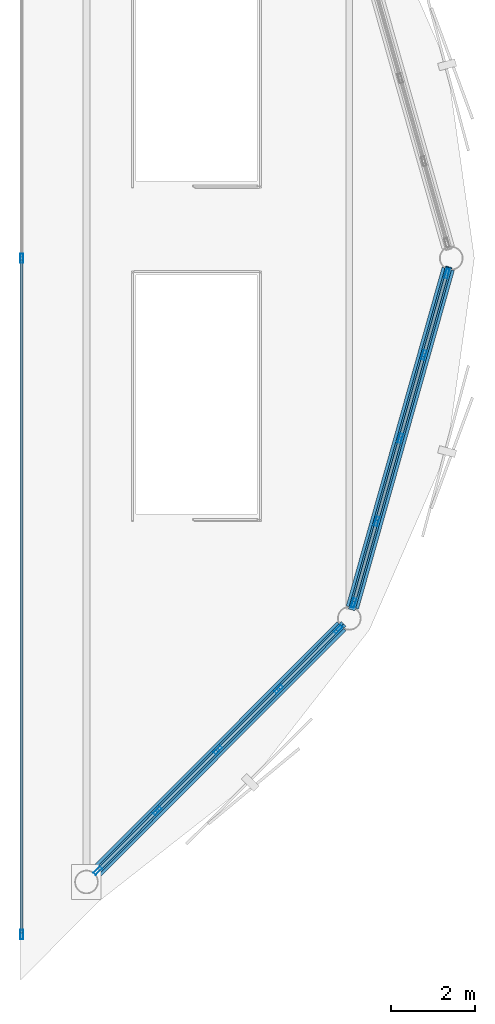
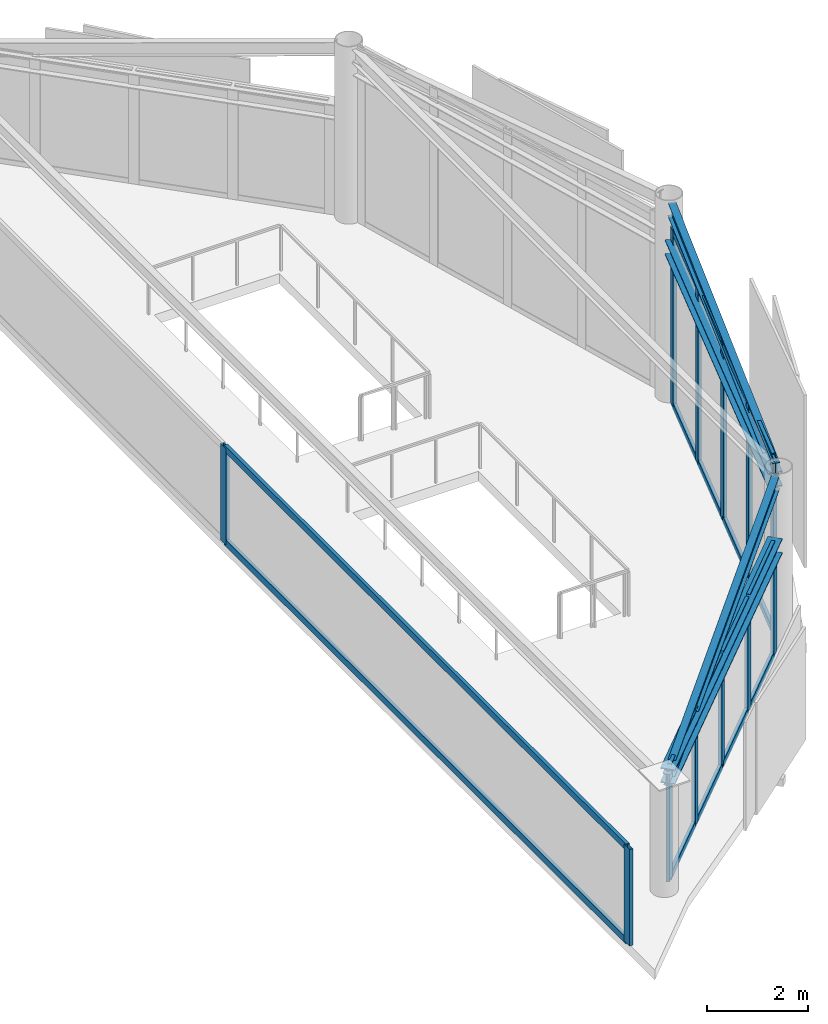
# One storey, part 2 of 6: 32 members, 2 beams, 3 elements without a shape of their own.
"""IFC4 building model written with IfcOpenShell, lengths in metres."""

import ifcopenshell
import ifcopenshell.guid

model = None  # the IFC model being written
_history = None  # IfcOwnerHistory: only IFC2X3 demands one
_inside = {}  # id of a spatial element -> (the spatial element, [elements in it])
_under = {}  # id of a project, library or spatial element -> (it, [spatial elements below it])
_declared = {}  # id of a project -> (the project, [libraries it declares])
_typed = {}  # id of a type object -> (the type object, [elements of that type])
_made_of = {}  # id of a material, layer set ... -> (it, [elements and type objects made of it])


def new_model(schema):
    """Start an empty IFC model of exactly this schema.

    Asked for "IFC4X3", IfcOpenShell would pick the latest addendum, in which some entities
    have other attributes; the version numbers below select the first issue.
    IFC2X3 requires an IfcOwnerHistory on every rooted entity: one is made here for all.
    """
    global model, _history
    if schema == "IFC4X3":
        model = ifcopenshell.file(schema_version=(4, 3, 0, 0))
    else:
        model = ifcopenshell.file(schema=schema)
    _inside.clear()
    _under.clear()
    _declared.clear()
    _typed.clear()
    _made_of.clear()
    _history = None
    if model.schema == "IFC2X3":
        org = make("IfcOrganization", Name="unknown")
        user = make(
            "IfcPersonAndOrganization",
            ThePerson=make("IfcPerson", FamilyName="unknown"),
            TheOrganization=org,
        )
        app = make(
            "IfcApplication",
            ApplicationDeveloper=org,
            Version="unknown",
            ApplicationFullName="unknown",
            ApplicationIdentifier="unknown",
        )
        _history = make(
            "IfcOwnerHistory",
            OwningUser=user,
            OwningApplication=app,
            ChangeAction="ADDED",
            CreationDate=0,
        )
    return model


def make(cls, **values):
    """One entity of the class cls with the attributes given. An attribute that is None is left unset."""
    return model.create_entity(
        cls, **{name: value for name, value in values.items() if value is not None}
    )


def rooted(cls, **values):
    """An entity with a GlobalId (a new one), such as an element, a storey or a relation."""
    return make(cls, GlobalId=ifcopenshell.guid.new(), OwnerHistory=_history, **values)


def si_unit(unit_type, name, prefix=None):
    """IfcSIUnit, for example si_unit("LENGTHUNIT", "METRE", prefix="MILLI")."""
    return make("IfcSIUnit", UnitType=unit_type, Prefix=prefix, Name=name)


def assignment(units):
    """IfcUnitAssignment: the units of a project."""
    return None if units is None else make("IfcUnitAssignment", Units=units)


def point(xyz):
    """IfcCartesianPoint."""
    return None if xyz is None else make("IfcCartesianPoint", Coordinates=xyz)


def direction(xyz):
    """IfcDirection."""
    return None if xyz is None else make("IfcDirection", DirectionRatios=xyz)


def frame(location, z_axis=None, x_axis=None):
    """IfcAxis2Placement3D, a coordinate frame: its origin and axes. An axis left out is left unset."""
    return make(
        "IfcAxis2Placement3D",
        Location=point(location),
        Axis=direction(z_axis),
        RefDirection=direction(x_axis),
    )


def frame_2d(location, x_axis=None):
    """IfcAxis2Placement2D, a coordinate frame in the plane: its origin and x axis."""
    return make(
        "IfcAxis2Placement2D", Location=point(location), RefDirection=direction(x_axis)
    )


def origin():
    """The frame at (0, 0, 0) with its axes left unset."""
    return frame((0.0, 0.0, 0.0))


def origin_2d():
    """The frame at (0, 0) in the plane with its x axis left unset."""
    return frame_2d((0.0, 0.0))


def place(relative_to, where):
    """IfcLocalPlacement: puts the frame where relative to a parent placement (None: the world)."""
    return make(
        "IfcLocalPlacement", PlacementRelTo=relative_to, RelativePlacement=where
    )


def context(
    kind, dimensions, precision=None, world=None, true_north=None, identifier=None
):
    """IfcGeometricRepresentationContext, for example the 3D "Model" context."""
    return make(
        "IfcGeometricRepresentationContext",
        ContextIdentifier=identifier,
        ContextType=kind,
        CoordinateSpaceDimension=dimensions,
        Precision=precision,
        WorldCoordinateSystem=world,
        TrueNorth=true_north,
    )


def subcontext(parent, identifier, kind, view, scale=None):
    """IfcGeometricRepresentationSubContext, for example "Body" below "Model"."""
    return make(
        "IfcGeometricRepresentationSubContext",
        ContextIdentifier=identifier,
        ContextType=kind,
        ParentContext=parent,
        TargetScale=scale,
        TargetView=view,
    )


def project(units=None, contexts=None):
    """IfcProject with its units and contexts."""
    return rooted(
        "IfcProject",
        Name="project",
        RepresentationContexts=contexts,
        UnitsInContext=assignment(units),
    )


def spatial(cls, under=None, at=None, **own):
    """A site, building, storey or space (cls), placed at a placement, below another one or the project."""
    s = rooted(cls, ObjectPlacement=at, **own)
    if under is not None:
        _under.setdefault(under.id(), (under, []))[1].append(s)
    return s


def profile(cls, at=None, kind="AREA", **sizes):
    """A parametric profile (cls). Its sizes go by their IFC names, for example OverallWidth=200.0."""
    return make(cls, ProfileType=kind, Position=at, **sizes)


def hollow_rectangle(**sizes):
    """IfcRectangleHollowProfileDef."""
    return profile("IfcRectangleHollowProfileDef", **sizes)


def i_section(**sizes):
    """IfcIShapeProfileDef."""
    return profile("IfcIShapeProfileDef", **sizes)


def extrude(swept, where, along, depth):
    """IfcExtrudedAreaSolid: the profile swept, set in the frame where, extruded along a direction by depth."""
    return make(
        "IfcExtrudedAreaSolid",
        SweptArea=swept,
        Position=where,
        ExtrudedDirection=direction(along),
        Depth=depth,
    )


def shape(context_of_items, identifier, shape_type, items):
    """IfcShapeRepresentation: the items that make up one representation, for example the "Body"."""
    return make(
        "IfcShapeRepresentation",
        ContextOfItems=context_of_items,
        RepresentationIdentifier=identifier,
        RepresentationType=shape_type,
        Items=items,
    )


def material(Name=None, Category=None):
    """IfcMaterial."""
    return make("IfcMaterial", Name=Name, Category=Category)


def layer(
    of_material, thickness, ventilated=None, Name=None, Category=None, Priority=None
):
    """IfcMaterialLayer: one layer of a wall or slab, of a material (None: an air gap)."""
    return make(
        "IfcMaterialLayer",
        Material=of_material,
        LayerThickness=thickness,
        IsVentilated=ventilated,
        Name=Name,
        Category=Category,
        Priority=Priority,
    )


def layer_set(layers, Name=None):
    """IfcMaterialLayerSet."""
    return make("IfcMaterialLayerSet", MaterialLayers=layers, LayerSetName=Name)


def material_profile(
    of_material, cross_section, Name=None, Category=None, Priority=None
):
    """IfcMaterialProfile: a cross section and its material."""
    return make(
        "IfcMaterialProfile",
        Name=Name,
        Material=of_material,
        Profile=cross_section,
        Priority=Priority,
        Category=Category,
    )


def profile_set(profiles, Name=None, composite=None):
    """IfcMaterialProfileSet."""
    return make(
        "IfcMaterialProfileSet",
        Name=Name,
        MaterialProfiles=profiles,
        CompositeProfile=composite,
    )


def made_of(thing, what):
    """Note that an element or type object is made of a material, layer set ...; save() writes the relation."""
    if what is not None:
        _made_of.setdefault(what.id(), (what, []))[1].append(thing)
    return thing


def type_object(cls, material=None, **own):
    """A type object (cls), such as IfcWallType, which elements share."""
    return made_of(rooted(cls, **own), material)


def element(
    cls,
    number,
    at=None,
    inside=None,
    cuts=None,
    type_object=None,
    material=None,
    context=None,
    identifier="Body",
    shape_type=None,
    held_by="IfcProductDefinitionShape",
    body=None,
    shapes=None,
    **own,
):
    """One element of the class cls, such as IfcWall. Its Tag is "e" and its number.

    at: its placement. inside: the storey or other place that contains it. cuts: it is an
    opening in that element (IfcRelVoidsElement). A single representation is given by context,
    identifier, shape_type and body (its items); several are given by shapes. held_by: the class
    of the entity that holds the representations. save() writes the other relations.
    """
    e = rooted(cls, Tag="e%d" % number, ObjectPlacement=at, **own)
    if body is not None:
        shapes = [shape(context, identifier, shape_type, body)]
    if shapes is not None:
        e.Representation = make(held_by, Representations=shapes)
    if inside is not None:
        _inside.setdefault(inside.id(), (inside, []))[1].append(e)
    if cuts is not None:
        rooted(
            "IfcRelVoidsElement", RelatingBuildingElement=cuts, RelatedOpeningElement=e
        )
    if type_object is not None:
        _typed.setdefault(type_object.id(), (type_object, []))[1].append(e)
    return made_of(e, material)


def aggregate(whole, parts):
    """IfcRelAggregates: a whole, such as a stair, and the parts it consists of."""
    return rooted("IfcRelAggregates", RelatingObject=whole, RelatedObjects=parts)


def save(model, path):
    """Write the relations noted so far, then the file.

    IfcRelAggregates (storeys below a building ...), IfcRelContainedInSpatialStructure (elements
    in a storey), IfcRelDefinesByType, IfcRelAssociatesMaterial and IfcRelDeclares: one each for
    every whole, place, type object, material and project.
    """
    for whole, parts in _under.values():
        aggregate(whole, parts)
    for where, things in _inside.values():
        rooted(
            "IfcRelContainedInSpatialStructure",
            RelatedElements=things,
            RelatingStructure=where,
        )
    for kind, things in _typed.values():
        rooted("IfcRelDefinesByType", RelatedObjects=things, RelatingType=kind)
    for what, things in _made_of.values():
        rooted("IfcRelAssociatesMaterial", RelatedObjects=things, RelatingMaterial=what)
    for by, libraries in _declared.values():
        rooted("IfcRelDeclares", RelatingContext=by, RelatedDefinitions=libraries)
    model.write(path)


model = new_model("IFC4")

# Units and contexts
model_context = context("Model", 3, precision=1e-05, world=origin(), true_north=direction((0.0, 1.0)))
body_context = subcontext(model_context, "Body", "Model", "MODEL_VIEW")
ifc_project = project(units=[si_unit("LENGTHUNIT", "METRE"), si_unit("AREAUNIT", "SQUARE_METRE"), si_unit("VOLUMEUNIT", "CUBIC_METRE"), si_unit("PLANEANGLEUNIT", "RADIAN"), si_unit("MASSUNIT", "GRAM", prefix="KILO")], contexts=[model_context])

# Site, building, storey
site_placement = place(None, origin())
site = spatial("IfcSite", under=ifc_project, at=site_placement, CompositionType="ELEMENT")
building_placement = place(site_placement, origin())
building = spatial("IfcBuilding", under=site, at=building_placement, Name="Varnakorn Sky Granary", CompositionType="ELEMENT")
storey_placement = place(building_placement, frame((0.0, 0.0, 319.199951171875)))
storey = spatial("IfcBuildingStorey", under=building, at=storey_placement, Name="L81", CompositionType="ELEMENT", Elevation=319.199951171875)

# Beams
ifc_material_1 = material(Name="Steel S355JR", Category="steel")
ifc_material_profile_1 = material_profile(ifc_material_1, i_section(OverallWidth=0.300048828125, OverallDepth=0.360107421875, WebThickness=0.012451171875, FlangeThickness=0.0224609375, at=origin_2d()), Name="HE 360 B")
ifc_profile_set_1 = profile_set([ifc_material_profile_1], Name="Steel S355JR")
beam_type = type_object("IfcBeamType", Name="BM-SPD-Z5", PredefinedType="SPANDREL", material=ifc_profile_set_1)
beam_1_placement = place(storey_placement, frame((13.544189453125, -14.59130859375, 2.563232421875), z_axis=(0.706075478013, 0.708136582411, 0.0), x_axis=(-0.708136582411, 0.706075478013, 0.0)))
element("IfcBeam", 1, at=beam_1_placement, inside=storey, type_object=beam_type, Name="Perimeter Spandrel Ring Beam RB11 L81", PredefinedType="SPANDREL", context=body_context, shape_type="SweptSolid", body=[
    extrude(i_section(OverallWidth=0.300048828125, OverallDepth=0.360107421875, WebThickness=0.012451171875, FlangeThickness=0.0224609375, at=origin_2d()), origin(), (0.0, 0.0, 1.0), 8.29150390625),
])
beam_2_placement = place(storey_placement, frame((19.657470703125, -8.278076171875, 3.780029296875), z_axis=(0.272284107146, 0.962216901221, 0.0), x_axis=(-0.962216901221, 0.272284107146, 0.0)))
element("IfcBeam", 2, at=beam_2_placement, inside=storey, type_object=beam_type, Name="Perimeter Spandrel Ring Beam RB12 L81", PredefinedType="SPANDREL", context=body_context, shape_type="SweptSolid", body=[
    extrude(i_section(OverallWidth=0.300048828125, OverallDepth=0.360107421875, WebThickness=0.012451171875, FlangeThickness=0.0224609375, at=origin_2d()), origin(), (0.0, 0.0, 1.0), 8.3388671875),
])

# Curtain wall, members
ifc_material_2 = material(Name="Anodised Bronze Aluminium Alloy 6063-T6", Category="aluminium")
ifc_layer = layer(ifc_material_2, 0.22998046875, Name="Anodised Bronze Aluminium Alloy 6063-T6")
ifc_layer_set = layer_set([ifc_layer], Name="Anodised Bronze Aluminium Alloy 6063-T6")
curtain_wall_type = type_object("IfcCurtainWallType", Name="CW-LNT-1", PredefinedType="USERDEFINED", material=ifc_layer_set)
curtain_wall_1_placement = place(storey_placement, origin())
curtain_wall_1 = element("IfcCurtainWall", 3, at=curtain_wall_1_placement, inside=storey, type_object=curtain_wall_type, Name="Unitised Curtain Wall CW7 CW-L81-B11", ObjectType="CURTAIN WALL", PredefinedType="USERDEFINED")
ifc_material_profile_2 = material_profile(ifc_material_2, hollow_rectangle(XDim=0.074951171875, YDim=0.219970703125, WallThickness=0.00390625, at=origin_2d()), Name="ALU MULL 75x220")
ifc_profile_set_2 = profile_set([ifc_material_profile_2], Name="Anodised Bronze Aluminium Alloy 6063-T6")
member_type_1 = type_object("IfcMemberType", Name="CW-LNT-1-MULL", PredefinedType="MULLION", material=ifc_profile_set_2)
member_1_placement = place(storey_placement, frame((19.3193359375, -8.799560546875, 0.0), z_axis=(0.0, 0.0, 1.0), x_axis=(0.708143903413, -0.706068135564, 0.0)))
member_1 = element("IfcMember", 4, at=member_1_placement, type_object=member_type_1, Name="CW7 mullion 1", PredefinedType="MULLION", context=body_context, shape_type="SweptSolid", body=[
    extrude(hollow_rectangle(XDim=0.074951171875, YDim=0.219970703125, WallThickness=0.00390625, at=origin_2d()), origin(), (0.0, 0.0, 1.0), 2.72802734375),
])
member_2_placement = place(storey_placement, frame((17.90869140625, -10.21435546875, 0.0), z_axis=(0.0, 0.0, 1.0), x_axis=(0.708143903413, -0.706068135564, 0.0)))
member_2 = element("IfcMember", 5, at=member_2_placement, type_object=member_type_1, Name="CW7 mullion 2", PredefinedType="MULLION", context=body_context, shape_type="SweptSolid", body=[
    extrude(hollow_rectangle(XDim=0.074951171875, YDim=0.219970703125, WallThickness=0.00390625, at=origin_2d()), origin(), (0.0, 0.0, 1.0), 2.72802734375),
])
member_3_placement = place(storey_placement, frame((16.471435546875, -11.655517578125, 0.0), z_axis=(0.0, 0.0, 1.0), x_axis=(0.708143903413, -0.706068135564, 0.0)))
member_3 = element("IfcMember", 6, at=member_3_placement, type_object=member_type_1, Name="CW7 mullion 3", PredefinedType="MULLION", context=body_context, shape_type="SweptSolid", body=[
    extrude(hollow_rectangle(XDim=0.074951171875, YDim=0.219970703125, WallThickness=0.00390625, at=origin_2d()), origin(), (0.0, 0.0, 1.0), 2.72802734375),
])
member_4_placement = place(storey_placement, frame((15.034423828125, -13.096923828125, 0.0), z_axis=(0.0, 0.0, 1.0), x_axis=(0.708143903413, -0.706068135564, 0.0)))
member_4 = element("IfcMember", 7, at=member_4_placement, type_object=member_type_1, Name="CW7 mullion 4", PredefinedType="MULLION", context=body_context, shape_type="SweptSolid", body=[
    extrude(hollow_rectangle(XDim=0.074951171875, YDim=0.219970703125, WallThickness=0.00390625, at=origin_2d()), origin(), (0.0, 0.0, 1.0), 2.72802734375),
])
member_5_placement = place(storey_placement, frame((13.623779296875, -14.51171875, 0.0), z_axis=(0.0, 0.0, 1.0), x_axis=(0.708143903413, -0.706068135564, 0.0)))
member_5 = element("IfcMember", 8, at=member_5_placement, type_object=member_type_1, Name="CW7 mullion 5", PredefinedType="MULLION", context=body_context, shape_type="SweptSolid", body=[
    extrude(hollow_rectangle(XDim=0.074951171875, YDim=0.219970703125, WallThickness=0.00390625, at=origin_2d()), origin(), (0.0, 0.0, 1.0), 2.72802734375),
])

curtain_wall_2_placement = place(storey_placement, origin())
curtain_wall_2 = element("IfcCurtainWall", 9, at=curtain_wall_2_placement, inside=storey, type_object=curtain_wall_type, Name="Unitised Curtain Wall CW7 CW-L81-B12", ObjectType="CURTAIN WALL", PredefinedType="USERDEFINED")
member_6_placement = place(storey_placement, frame((21.8974609375, -0.36279296875, 0.0), z_axis=(0.0, 0.0, 1.0), x_axis=(0.962210332447, -0.272307319276, 0.0)))
member_6 = element("IfcMember", 10, at=member_6_placement, type_object=member_type_1, Name="CW7 mullion 1", PredefinedType="MULLION", context=body_context, shape_type="SweptSolid", body=[
    extrude(hollow_rectangle(XDim=0.074951171875, YDim=0.219970703125, WallThickness=0.00390625, at=origin_2d()), origin(), (0.0, 0.0, 1.0), 4.28076171875),
])
member_7_placement = place(storey_placement, frame((21.35009765625, -2.29638671875, 0.0), z_axis=(0.0, 0.0, 1.0), x_axis=(0.962210332447, -0.272307319276, 0.0)))
member_7 = element("IfcMember", 11, at=member_7_placement, type_object=member_type_1, Name="CW7 mullion 2", PredefinedType="MULLION", context=body_context, shape_type="SweptSolid", body=[
    extrude(hollow_rectangle(XDim=0.074951171875, YDim=0.219970703125, WallThickness=0.00390625, at=origin_2d()), origin(), (0.0, 0.0, 1.0), 4.28076171875),
])
member_8_placement = place(storey_placement, frame((20.792724609375, -4.266357421875, 0.0), z_axis=(0.0, 0.0, 1.0), x_axis=(0.962210332447, -0.272307319276, 0.0)))
member_8 = element("IfcMember", 12, at=member_8_placement, type_object=member_type_1, Name="CW7 mullion 3", PredefinedType="MULLION", context=body_context, shape_type="SweptSolid", body=[
    extrude(hollow_rectangle(XDim=0.074951171875, YDim=0.219970703125, WallThickness=0.00390625, at=origin_2d()), origin(), (0.0, 0.0, 1.0), 4.28076171875),
])
member_9_placement = place(storey_placement, frame((20.2353515625, -6.236083984375, 0.0), z_axis=(0.0, 0.0, 1.0), x_axis=(0.962210332447, -0.272307319276, 0.0)))
member_9 = element("IfcMember", 13, at=member_9_placement, type_object=member_type_1, Name="CW7 mullion 4", PredefinedType="MULLION", context=body_context, shape_type="SweptSolid", body=[
    extrude(hollow_rectangle(XDim=0.074951171875, YDim=0.219970703125, WallThickness=0.00390625, at=origin_2d()), origin(), (0.0, 0.0, 1.0), 4.28076171875),
])
member_10_placement = place(storey_placement, frame((19.68798828125, -8.169677734375, 0.0), z_axis=(0.0, 0.0, 1.0), x_axis=(0.962210332447, -0.272307319276, 0.0)))
member_10 = element("IfcMember", 14, at=member_10_placement, type_object=member_type_1, Name="CW7 mullion 5", PredefinedType="MULLION", context=body_context, shape_type="SweptSolid", body=[
    extrude(hollow_rectangle(XDim=0.074951171875, YDim=0.219970703125, WallThickness=0.00390625, at=origin_2d()), origin(), (0.0, 0.0, 1.0), 4.28076171875),
])

curtain_wall_3_placement = place(storey_placement, origin())
curtain_wall_3 = element("IfcCurtainWall", 15, at=curtain_wall_3_placement, inside=storey, type_object=curtain_wall_type, Name="Unitised Curtain Wall CW7 CW-L81-SLANT", ObjectType="CURTAIN WALL", PredefinedType="USERDEFINED")
member_11_placement = place(storey_placement, frame((11.820068359375, -16.02685546875, 0.0), z_axis=(0.0, 0.0, 1.0), x_axis=(-1.0, 0.0, 0.0)))
member_11 = element("IfcMember", 16, at=member_11_placement, type_object=member_type_1, Name="CW7 mullion 1", PredefinedType="MULLION", context=body_context, shape_type="SweptSolid", body=[
    extrude(hollow_rectangle(XDim=0.074951171875, YDim=0.219970703125, WallThickness=0.00390625, at=origin_2d()), origin(), (0.0, 0.0, 1.0), 2.33984375),
])
member_12_placement = place(storey_placement, frame((11.820068359375, 0.0, 0.0), z_axis=(0.0, 0.0, 1.0), x_axis=(-1.0, 0.0, 0.0)))
member_12 = element("IfcMember", 17, at=member_12_placement, type_object=member_type_1, Name="CW7 mullion 2", PredefinedType="MULLION", context=body_context, shape_type="SweptSolid", body=[
    extrude(hollow_rectangle(XDim=0.074951171875, YDim=0.219970703125, WallThickness=0.00390625, at=origin_2d()), origin(), (0.0, 0.0, 1.0), 2.33984375),
])

# Member
ifc_material_profile_3 = material_profile(ifc_material_2, hollow_rectangle(XDim=0.074951171875, YDim=0.159912109375, WallThickness=0.00390625, at=origin_2d()), Name="ALU TRAN 75x160")
ifc_profile_set_3 = profile_set([ifc_material_profile_3], Name="Anodised Bronze Aluminium Alloy 6063-T6")
member_type_2 = type_object("IfcMemberType", Name="CW-LNT-1-TRAN", PredefinedType="USERDEFINED", material=ifc_profile_set_3)
member_13_placement = place(storey_placement, frame((19.292724609375, -8.825927734375, 0.03759765625), z_axis=(-0.706026794279, -0.708185121109, 0.0), x_axis=(0.708185121109, -0.706026794279, 0.0)))
member_13 = element("IfcMember", 18, at=member_13_placement, type_object=member_type_2, Name="CW7 transom 1.1", ObjectType="TRANSOM", PredefinedType="USERDEFINED", context=body_context, shape_type="SweptSolid", body=[
    extrude(hollow_rectangle(XDim=0.074951171875, YDim=0.159912109375, WallThickness=0.00390625, at=origin_2d()), origin(), (0.0, 0.0, 1.0), 1.9228515625),
])

member_14_placement = place(storey_placement, frame((19.292724609375, -8.825927734375, 2.690673828125), z_axis=(-0.706026794279, -0.708185121109, 0.0), x_axis=(0.708185121109, -0.706026794279, 0.0)))
member_14 = element("IfcMember", 19, at=member_14_placement, type_object=member_type_2, Name="CW7 transom 1.2", ObjectType="TRANSOM", PredefinedType="USERDEFINED", context=body_context, shape_type="SweptSolid", body=[
    extrude(hollow_rectangle(XDim=0.074951171875, YDim=0.159912109375, WallThickness=0.00390625, at=origin_2d()), origin(), (0.0, 0.0, 1.0), 1.9228515625),
])

member_15_placement = place(storey_placement, frame((17.882080078125, -10.24072265625, 0.03759765625), z_axis=(-0.705985083992, -0.708226701827, 0.0), x_axis=(0.708226701827, -0.705985083992, 0.0)))
member_15 = element("IfcMember", 20, at=member_15_placement, type_object=member_type_2, Name="CW7 transom 2.1", ObjectType="TRANSOM", PredefinedType="USERDEFINED", context=body_context, shape_type="SweptSolid", body=[
    extrude(hollow_rectangle(XDim=0.074951171875, YDim=0.159912109375, WallThickness=0.00390625, at=origin_2d()), origin(), (0.0, 0.0, 1.0), 1.96044921875),
])

member_16_placement = place(storey_placement, frame((17.882080078125, -10.24072265625, 2.690673828125), z_axis=(-0.705985083992, -0.708226701827, 0.0), x_axis=(0.708226701827, -0.705985083992, 0.0)))
member_16 = element("IfcMember", 21, at=member_16_placement, type_object=member_type_2, Name="CW7 transom 2.2", ObjectType="TRANSOM", PredefinedType="USERDEFINED", context=body_context, shape_type="SweptSolid", body=[
    extrude(hollow_rectangle(XDim=0.074951171875, YDim=0.159912109375, WallThickness=0.00390625, at=origin_2d()), origin(), (0.0, 0.0, 1.0), 1.96044921875),
])

member_17_placement = place(storey_placement, frame((16.445068359375, -11.68212890625, 0.03759765625), z_axis=(-0.706109804481, -0.708102354194, 0.0), x_axis=(0.708102354194, -0.706109804481, 0.0)))
member_17 = element("IfcMember", 22, at=member_17_placement, type_object=member_type_2, Name="CW7 transom 3.1", ObjectType="TRANSOM", PredefinedType="USERDEFINED", context=body_context, shape_type="SweptSolid", body=[
    extrude(hollow_rectangle(XDim=0.074951171875, YDim=0.159912109375, WallThickness=0.00390625, at=origin_2d()), origin(), (0.0, 0.0, 1.0), 1.96044921875),
])

member_18_placement = place(storey_placement, frame((16.445068359375, -11.68212890625, 2.690673828125), z_axis=(-0.706109804481, -0.708102354194, 0.0), x_axis=(0.708102354194, -0.706109804481, 0.0)))
member_18 = element("IfcMember", 23, at=member_18_placement, type_object=member_type_2, Name="CW7 transom 3.2", ObjectType="TRANSOM", PredefinedType="USERDEFINED", context=body_context, shape_type="SweptSolid", body=[
    extrude(hollow_rectangle(XDim=0.074951171875, YDim=0.159912109375, WallThickness=0.00390625, at=origin_2d()), origin(), (0.0, 0.0, 1.0), 1.96044921875),
])

member_19_placement = place(storey_placement, frame((15.0078125, -13.12353515625, 0.03759765625), z_axis=(-0.706090277055, -0.708121826135, 0.0), x_axis=(0.708121826135, -0.706090277055, 0.0)))
member_19 = element("IfcMember", 24, at=member_19_placement, type_object=member_type_2, Name="CW7 transom 4.1", ObjectType="TRANSOM", PredefinedType="USERDEFINED", context=body_context, shape_type="SweptSolid", body=[
    extrude(hollow_rectangle(XDim=0.074951171875, YDim=0.159912109375, WallThickness=0.00390625, at=origin_2d()), origin(), (0.0, 0.0, 1.0), 1.9228515625),
])

member_20_placement = place(storey_placement, frame((15.0078125, -13.12353515625, 2.690673828125), z_axis=(-0.706090277055, -0.708121826135, 0.0), x_axis=(0.708121826135, -0.706090277055, 0.0)))
member_20 = element("IfcMember", 25, at=member_20_placement, type_object=member_type_2, Name="CW7 transom 4.2", ObjectType="TRANSOM", PredefinedType="USERDEFINED", context=body_context, shape_type="SweptSolid", body=[
    extrude(hollow_rectangle(XDim=0.074951171875, YDim=0.159912109375, WallThickness=0.00390625, at=origin_2d()), origin(), (0.0, 0.0, 1.0), 1.9228515625),
])

aggregate(curtain_wall_1, [member_1, member_2, member_3, member_4, member_5, member_13, member_14, member_15, member_16, member_17, member_18, member_19, member_20])

member_21_placement = place(storey_placement, frame((21.88720703125, -0.39892578125, 0.03759765625), z_axis=(-0.272320261407, -0.962206669706, 0.0), x_axis=(0.962206669706, -0.272320261407, 0.0)))
member_21 = element("IfcMember", 26, at=member_21_placement, type_object=member_type_2, Name="CW7 transom 1.1", ObjectType="TRANSOM", PredefinedType="USERDEFINED", context=body_context, shape_type="SweptSolid", body=[
    extrude(hollow_rectangle(XDim=0.074951171875, YDim=0.159912109375, WallThickness=0.00390625, at=origin_2d()), origin(), (0.0, 0.0, 1.0), 1.9345703125),
])

member_22_placement = place(storey_placement, frame((21.88720703125, -0.39892578125, 4.243408203125), z_axis=(-0.272320261407, -0.962206669706, 0.0), x_axis=(0.962206669706, -0.272320261407, 0.0)))
member_22 = element("IfcMember", 27, at=member_22_placement, type_object=member_type_2, Name="CW7 transom 1.2", ObjectType="TRANSOM", PredefinedType="USERDEFINED", context=body_context, shape_type="SweptSolid", body=[
    extrude(hollow_rectangle(XDim=0.074951171875, YDim=0.159912109375, WallThickness=0.00390625, at=origin_2d()), origin(), (0.0, 0.0, 1.0), 1.9345703125),
])

member_23_placement = place(storey_placement, frame((21.33984375, -2.33251953125, 0.03759765625), z_axis=(-0.272218664968, -0.962235417371, 0.0), x_axis=(0.962235417371, -0.272218664968, 0.0)))
member_23 = element("IfcMember", 28, at=member_23_placement, type_object=member_type_2, Name="CW7 transom 2.1", ObjectType="TRANSOM", PredefinedType="USERDEFINED", context=body_context, shape_type="SweptSolid", body=[
    extrude(hollow_rectangle(XDim=0.074951171875, YDim=0.159912109375, WallThickness=0.00390625, at=origin_2d()), origin(), (0.0, 0.0, 1.0), 1.97216796875),
])

member_24_placement = place(storey_placement, frame((21.33984375, -2.33251953125, 4.243408203125), z_axis=(-0.272218664968, -0.962235417371, 0.0), x_axis=(0.962235417371, -0.272218664968, 0.0)))
member_24 = element("IfcMember", 29, at=member_24_placement, type_object=member_type_2, Name="CW7 transom 2.2", ObjectType="TRANSOM", PredefinedType="USERDEFINED", context=body_context, shape_type="SweptSolid", body=[
    extrude(hollow_rectangle(XDim=0.074951171875, YDim=0.159912109375, WallThickness=0.00390625, at=origin_2d()), origin(), (0.0, 0.0, 1.0), 1.97216796875),
])

member_25_placement = place(storey_placement, frame((20.782470703125, -4.30224609375, 0.03759765625), z_axis=(-0.272333277839, -0.962202985747, 0.0), x_axis=(0.962202985747, -0.272333277839, 0.0)))
member_25 = element("IfcMember", 30, at=member_25_placement, type_object=member_type_2, Name="CW7 transom 3.1", ObjectType="TRANSOM", PredefinedType="USERDEFINED", context=body_context, shape_type="SweptSolid", body=[
    extrude(hollow_rectangle(XDim=0.074951171875, YDim=0.159912109375, WallThickness=0.00390625, at=origin_2d()), origin(), (0.0, 0.0, 1.0), 1.97216796875),
])

member_26_placement = place(storey_placement, frame((20.782470703125, -4.30224609375, 4.243408203125), z_axis=(-0.272333277839, -0.962202985747, 0.0), x_axis=(0.962202985747, -0.272333277839, 0.0)))
member_26 = element("IfcMember", 31, at=member_26_placement, type_object=member_type_2, Name="CW7 transom 3.2", ObjectType="TRANSOM", PredefinedType="USERDEFINED", context=body_context, shape_type="SweptSolid", body=[
    extrude(hollow_rectangle(XDim=0.074951171875, YDim=0.159912109375, WallThickness=0.00390625, at=origin_2d()), origin(), (0.0, 0.0, 1.0), 1.97216796875),
])

member_27_placement = place(storey_placement, frame((20.22509765625, -6.272216796875, 0.03759765625), z_axis=(-0.272353330894, -0.962197309886, 0.0), x_axis=(0.962197309886, -0.272353330894, 0.0)))
member_27 = element("IfcMember", 32, at=member_27_placement, type_object=member_type_2, Name="CW7 transom 4.1", ObjectType="TRANSOM", PredefinedType="USERDEFINED", context=body_context, shape_type="SweptSolid", body=[
    extrude(hollow_rectangle(XDim=0.074951171875, YDim=0.159912109375, WallThickness=0.00390625, at=origin_2d()), origin(), (0.0, 0.0, 1.0), 1.9345703125),
])

member_28_placement = place(storey_placement, frame((20.22509765625, -6.272216796875, 4.243408203125), z_axis=(-0.272353330894, -0.962197309886, 0.0), x_axis=(0.962197309886, -0.272353330894, 0.0)))
member_28 = element("IfcMember", 33, at=member_28_placement, type_object=member_type_2, Name="CW7 transom 4.2", ObjectType="TRANSOM", PredefinedType="USERDEFINED", context=body_context, shape_type="SweptSolid", body=[
    extrude(hollow_rectangle(XDim=0.074951171875, YDim=0.159912109375, WallThickness=0.00390625, at=origin_2d()), origin(), (0.0, 0.0, 1.0), 1.9345703125),
])

aggregate(curtain_wall_2, [member_6, member_7, member_8, member_9, member_10, member_21, member_22, member_23, member_24, member_25, member_26, member_27, member_28])

member_29_placement = place(storey_placement, frame((11.820068359375, -15.989501953125, 0.03759765625), z_axis=(0.0, 1.0, 0.0), x_axis=(-1.0, 0.0, 0.0)))
member_29 = element("IfcMember", 34, at=member_29_placement, type_object=member_type_2, Name="CW7 transom 1.1", ObjectType="TRANSOM", PredefinedType="USERDEFINED", context=body_context, shape_type="SweptSolid", body=[
    extrude(hollow_rectangle(XDim=0.074951171875, YDim=0.159912109375, WallThickness=0.00390625, at=origin_2d()), origin(), (0.0, 0.0, 1.0), 15.951904296875),
])

member_30_placement = place(storey_placement, frame((11.820068359375, -15.989501953125, 2.30224609375), z_axis=(0.0, 1.0, 0.0), x_axis=(-1.0, 0.0, 0.0)))
member_30 = element("IfcMember", 35, at=member_30_placement, type_object=member_type_2, Name="CW7 transom 1.2", ObjectType="TRANSOM", PredefinedType="USERDEFINED", context=body_context, shape_type="SweptSolid", body=[
    extrude(hollow_rectangle(XDim=0.074951171875, YDim=0.159912109375, WallThickness=0.00390625, at=origin_2d()), origin(), (0.0, 0.0, 1.0), 15.951904296875),
])

aggregate(curtain_wall_3, [member_11, member_12, member_29, member_30])

# Members
ifc_material_profile_4 = material_profile(ifc_material_1, i_section(OverallWidth=0.159912109375, OverallDepth=0.330078125, WebThickness=0.007568359375, FlangeThickness=0.011474609375, at=origin_2d()), Name="IPE 330")
ifc_profile_set_4 = profile_set([ifc_material_profile_4], Name="Steel S355JR")
member_type_3 = type_object("IfcMemberType", Name="MB-PUR-330", PredefinedType="PURLIN", material=ifc_profile_set_4)
member_31_placement = place(storey_placement, frame((19.645263671875, -8.32080078125, 4.060791015625), z_axis=(0.271617613931, 0.959763728374, 0.071256280421), x_axis=(-0.962209626303, 0.272309814459, 0.0)))
element("IfcMember", 36, at=member_31_placement, inside=storey, type_object=member_type_3, Name="Sloped Crown Roof Purlin PR-05", PredefinedType="PURLIN", context=body_context, shape_type="SweptSolid", body=[
    extrude(i_section(OverallWidth=0.159912109375, OverallDepth=0.330078125, WebThickness=0.007568359375, FlangeThickness=0.011474609375, at=origin_2d()), origin(), (0.0, 0.0, 1.0), 8.448974609375),
])
member_32_placement = place(storey_placement, frame((13.5126953125, -14.622802734375, 2.508056640625), z_axis=(0.694270857206, 0.696275930232, 0.182175206363), x_axis=(-0.708125644477, 0.706086447706, 0.0)))
element("IfcMember", 37, at=member_32_placement, inside=storey, type_object=member_type_3, Name="Sloped Crown Roof Purlin PR-06", PredefinedType="PURLIN", context=body_context, shape_type="SweptSolid", body=[
    extrude(i_section(OverallWidth=0.159912109375, OverallDepth=0.330078125, WebThickness=0.007568359375, FlangeThickness=0.011474609375, at=origin_2d()), origin(), (0.0, 0.0, 1.0), 8.523193359375),
])

save(model, "model.ifc")
